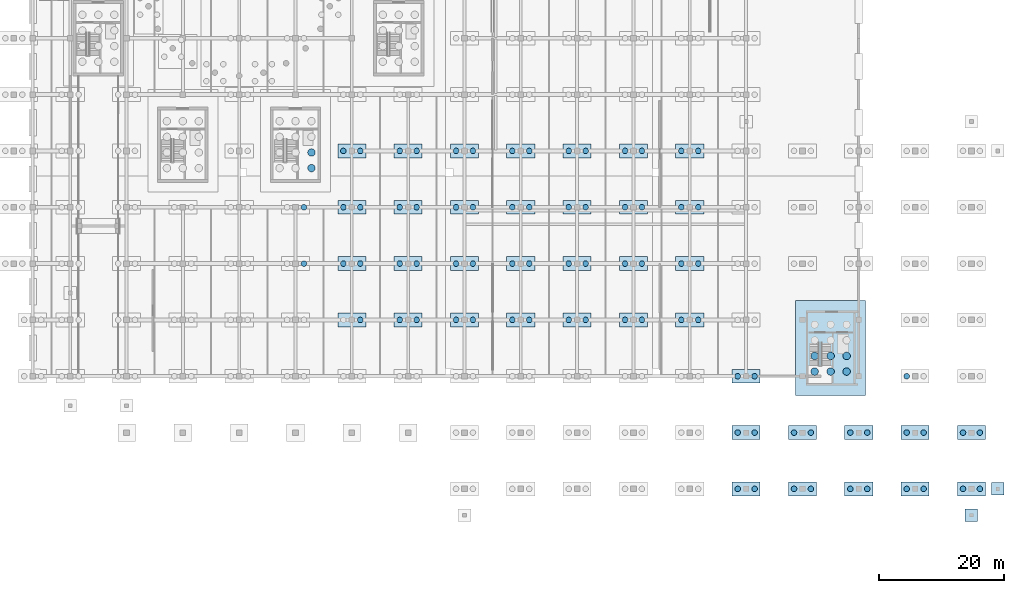
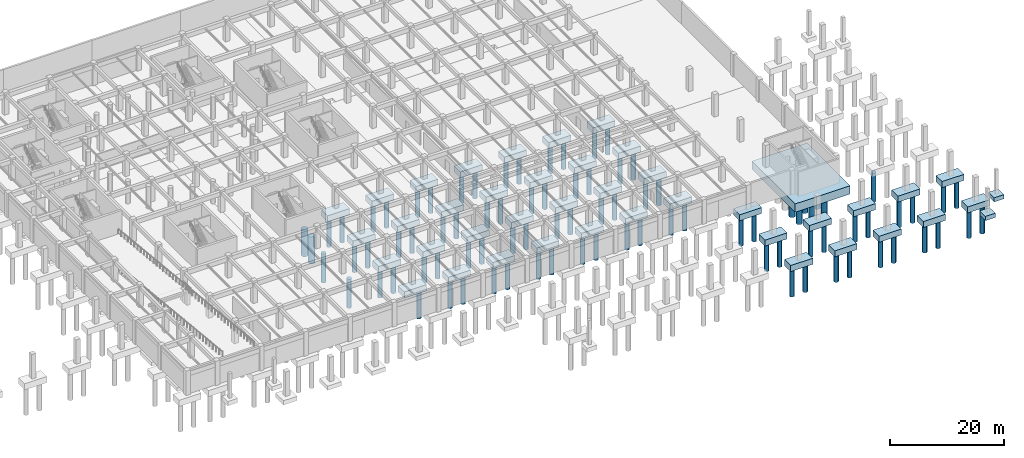
# One storey, part 5 of 27: 88 piles, 42 footings.
"""IFC4 building model written with IfcOpenShell, lengths in metres."""

from ifc_helpers import new_model, si_unit, direction, frame, origin, origin_2d, place, context, subcontext, project, spatial, polyline, circle, outline, extrude, material, layer, layer_set, material_profile, profile_set, type_object, element, save


model = new_model("IFC4")

# Units and contexts
model_context = context("Model", 3, precision=1e-05, world=origin(), true_north=direction((0.0, 1.0)))
body_context = subcontext(model_context, "Body", "Model", "MODEL_VIEW")
ifc_project = project(units=[si_unit("LENGTHUNIT", "METRE"), si_unit("AREAUNIT", "SQUARE_METRE"), si_unit("VOLUMEUNIT", "CUBIC_METRE"), si_unit("PLANEANGLEUNIT", "RADIAN"), si_unit("MASSUNIT", "GRAM", prefix="KILO")], contexts=[model_context])

# Site, building, storey
site_placement = place(None, origin())
site = spatial("IfcSite", under=ifc_project, at=site_placement, CompositionType="ELEMENT")
building_placement = place(site_placement, origin())
building = spatial("IfcBuilding", under=site, at=building_placement, Name="Dornveld Trade and Exhibition Forum", CompositionType="ELEMENT")
storey_placement = place(building_placement, frame((0.0, 0.0, -4.800048828125)))
storey = spatial("IfcBuildingStorey", under=building, at=storey_placement, Name="B1", CompositionType="ELEMENT", Elevation=-4.800048828125)

# Footings
ifc_material_1 = material(Name="Concrete C40/50", Category="concrete")
ifc_layer_1 = layer(ifc_material_1, 1.300048828125)
ifc_layer_set_1 = layer_set([ifc_layer_1], Name="Concrete C40/50")
footing_type_1 = type_object("IfcFootingType", Name="FT-CAP-2P", PredefinedType="PILE_CAP", material=ifc_layer_set_1)
footing_1_placement = place(storey_placement, frame((0.0, 0.0, -1.75)))
element("IfcFooting", 1, at=footing_1_placement, inside=storey, type_object=footing_type_1, Name="Multi-pile cap 160", PredefinedType="PILE_CAP", context=body_context, shape_type="SweptSolid", body=[
    extrude(outline(polyline([(132.75, 25.89990234375), (137.25, 25.89990234375), (137.25, 28.10009765625), (132.75, 28.10009765625), (132.75, 25.89990234375)])), origin(), (0.0, 0.0, 1.0), 1.300048828125),
])
footing_2_placement = place(storey_placement, frame((0.0, 0.0, -1.75)))
element("IfcFooting", 2, at=footing_2_placement, inside=storey, type_object=footing_type_1, Name="Multi-pile cap 161", PredefinedType="PILE_CAP", context=body_context, shape_type="SweptSolid", body=[
    extrude(outline(polyline([(132.75, 34.89990234375), (137.25, 34.89990234375), (137.25, 37.10009765625), (132.75, 37.10009765625), (132.75, 34.89990234375)])), origin(), (0.0, 0.0, 1.0), 1.300048828125),
])
footing_3_placement = place(storey_placement, frame((0.0, 0.0, -1.75)))
element("IfcFooting", 3, at=footing_3_placement, inside=storey, type_object=footing_type_1, Name="Multi-pile cap 162", PredefinedType="PILE_CAP", context=body_context, shape_type="SweptSolid", body=[
    extrude(outline(polyline([(132.75, 43.89990234375), (137.25, 43.89990234375), (137.25, 46.10009765625), (132.75, 46.10009765625), (132.75, 43.89990234375)])), origin(), (0.0, 0.0, 1.0), 1.300048828125),
])
footing_4_placement = place(storey_placement, frame((0.0, 0.0, -1.75)))
element("IfcFooting", 4, at=footing_4_placement, inside=storey, type_object=footing_type_1, Name="Multi-pile cap 163", PredefinedType="PILE_CAP", context=body_context, shape_type="SweptSolid", body=[
    extrude(outline(polyline([(132.75, 52.89990234375), (137.25, 52.89990234375), (137.25, 55.10009765625), (132.75, 55.10009765625), (132.75, 52.89990234375)])), origin(), (0.0, 0.0, 1.0), 1.300048828125),
])
footing_5_placement = place(storey_placement, frame((0.0, 0.0, -1.75)))
element("IfcFooting", 5, at=footing_5_placement, inside=storey, type_object=footing_type_1, Name="Multi-pile cap 168", PredefinedType="PILE_CAP", context=body_context, shape_type="SweptSolid", body=[
    extrude(outline(polyline([(141.75, 25.89990234375), (146.25, 25.89990234375), (146.25, 28.10009765625), (141.75, 28.10009765625), (141.75, 25.89990234375)])), origin(), (0.0, 0.0, 1.0), 1.300048828125),
])
footing_6_placement = place(storey_placement, frame((0.0, 0.0, -1.75)))
element("IfcFooting", 6, at=footing_6_placement, inside=storey, type_object=footing_type_1, Name="Multi-pile cap 169", PredefinedType="PILE_CAP", context=body_context, shape_type="SweptSolid", body=[
    extrude(outline(polyline([(141.75, 34.89990234375), (146.25, 34.89990234375), (146.25, 37.10009765625), (141.75, 37.10009765625), (141.75, 34.89990234375)])), origin(), (0.0, 0.0, 1.0), 1.300048828125),
])
footing_7_placement = place(storey_placement, frame((0.0, 0.0, -1.75)))
element("IfcFooting", 7, at=footing_7_placement, inside=storey, type_object=footing_type_1, Name="Multi-pile cap 170", PredefinedType="PILE_CAP", context=body_context, shape_type="SweptSolid", body=[
    extrude(outline(polyline([(141.75, 43.89990234375), (146.25, 43.89990234375), (146.25, 46.10009765625), (141.75, 46.10009765625), (141.75, 43.89990234375)])), origin(), (0.0, 0.0, 1.0), 1.300048828125),
])
footing_8_placement = place(storey_placement, frame((0.0, 0.0, -1.75)))
element("IfcFooting", 8, at=footing_8_placement, inside=storey, type_object=footing_type_1, Name="Multi-pile cap 171", PredefinedType="PILE_CAP", context=body_context, shape_type="SweptSolid", body=[
    extrude(outline(polyline([(141.75, 52.89990234375), (146.25, 52.89990234375), (146.25, 55.10009765625), (141.75, 55.10009765625), (141.75, 52.89990234375)])), origin(), (0.0, 0.0, 1.0), 1.300048828125),
])
footing_9_placement = place(storey_placement, frame((0.0, 0.0, -1.75)))
element("IfcFooting", 9, at=footing_9_placement, inside=storey, type_object=footing_type_1, Name="Multi-pile cap 180", PredefinedType="PILE_CAP", context=body_context, shape_type="SweptSolid", body=[
    extrude(outline(polyline([(150.75, 25.89990234375), (155.25, 25.89990234375), (155.25, 28.10009765625), (150.75, 28.10009765625), (150.75, 25.89990234375)])), origin(), (0.0, 0.0, 1.0), 1.300048828125),
])
footing_10_placement = place(storey_placement, frame((0.0, 0.0, -1.75)))
element("IfcFooting", 10, at=footing_10_placement, inside=storey, type_object=footing_type_1, Name="Multi-pile cap 181", PredefinedType="PILE_CAP", context=body_context, shape_type="SweptSolid", body=[
    extrude(outline(polyline([(150.75, 34.89990234375), (155.25, 34.89990234375), (155.25, 37.10009765625), (150.75, 37.10009765625), (150.75, 34.89990234375)])), origin(), (0.0, 0.0, 1.0), 1.300048828125),
])
footing_11_placement = place(storey_placement, frame((0.0, 0.0, -1.75)))
element("IfcFooting", 11, at=footing_11_placement, inside=storey, type_object=footing_type_1, Name="Multi-pile cap 182", PredefinedType="PILE_CAP", context=body_context, shape_type="SweptSolid", body=[
    extrude(outline(polyline([(150.75, 43.89990234375), (155.25, 43.89990234375), (155.25, 46.10009765625), (150.75, 46.10009765625), (150.75, 43.89990234375)])), origin(), (0.0, 0.0, 1.0), 1.300048828125),
])
footing_12_placement = place(storey_placement, frame((0.0, 0.0, -1.75)))
element("IfcFooting", 12, at=footing_12_placement, inside=storey, type_object=footing_type_1, Name="Multi-pile cap 183", PredefinedType="PILE_CAP", context=body_context, shape_type="SweptSolid", body=[
    extrude(outline(polyline([(150.75, 52.89990234375), (155.25, 52.89990234375), (155.25, 55.10009765625), (150.75, 55.10009765625), (150.75, 52.89990234375)])), origin(), (0.0, 0.0, 1.0), 1.300048828125),
])
footing_13_placement = place(storey_placement, frame((0.0, 0.0, -1.75)))
element("IfcFooting", 13, at=footing_13_placement, inside=storey, type_object=footing_type_1, Name="Multi-pile cap 194", PredefinedType="PILE_CAP", context=body_context, shape_type="SweptSolid", body=[
    extrude(outline(polyline([(159.75, 25.89990234375), (164.25, 25.89990234375), (164.25, 28.10009765625), (159.75, 28.10009765625), (159.75, 25.89990234375)])), origin(), (0.0, 0.0, 1.0), 1.300048828125),
])
footing_14_placement = place(storey_placement, frame((0.0, 0.0, -1.75)))
element("IfcFooting", 14, at=footing_14_placement, inside=storey, type_object=footing_type_1, Name="Multi-pile cap 195", PredefinedType="PILE_CAP", context=body_context, shape_type="SweptSolid", body=[
    extrude(outline(polyline([(159.75, 34.89990234375), (164.25, 34.89990234375), (164.25, 37.10009765625), (159.75, 37.10009765625), (159.75, 34.89990234375)])), origin(), (0.0, 0.0, 1.0), 1.300048828125),
])
footing_15_placement = place(storey_placement, frame((0.0, 0.0, -1.75)))
element("IfcFooting", 15, at=footing_15_placement, inside=storey, type_object=footing_type_1, Name="Multi-pile cap 196", PredefinedType="PILE_CAP", context=body_context, shape_type="SweptSolid", body=[
    extrude(outline(polyline([(159.75, 43.89990234375), (164.25, 43.89990234375), (164.25, 46.10009765625), (159.75, 46.10009765625), (159.75, 43.89990234375)])), origin(), (0.0, 0.0, 1.0), 1.300048828125),
])
footing_16_placement = place(storey_placement, frame((0.0, 0.0, -1.75)))
element("IfcFooting", 16, at=footing_16_placement, inside=storey, type_object=footing_type_1, Name="Multi-pile cap 197", PredefinedType="PILE_CAP", context=body_context, shape_type="SweptSolid", body=[
    extrude(outline(polyline([(159.75, 52.89990234375), (164.25, 52.89990234375), (164.25, 55.10009765625), (159.75, 55.10009765625), (159.75, 52.89990234375)])), origin(), (0.0, 0.0, 1.0), 1.300048828125),
])
footing_17_placement = place(storey_placement, frame((0.0, 0.0, -1.75)))
element("IfcFooting", 17, at=footing_17_placement, inside=storey, type_object=footing_type_1, Name="Multi-pile cap 208", PredefinedType="PILE_CAP", context=body_context, shape_type="SweptSolid", body=[
    extrude(outline(polyline([(168.75, 25.89990234375), (173.25, 25.89990234375), (173.25, 28.10009765625), (168.75, 28.10009765625), (168.75, 25.89990234375)])), origin(), (0.0, 0.0, 1.0), 1.300048828125),
])
footing_18_placement = place(storey_placement, frame((0.0, 0.0, -1.75)))
element("IfcFooting", 18, at=footing_18_placement, inside=storey, type_object=footing_type_1, Name="Multi-pile cap 209", PredefinedType="PILE_CAP", context=body_context, shape_type="SweptSolid", body=[
    extrude(outline(polyline([(168.75, 34.89990234375), (173.25, 34.89990234375), (173.25, 37.10009765625), (168.75, 37.10009765625), (168.75, 34.89990234375)])), origin(), (0.0, 0.0, 1.0), 1.300048828125),
])
footing_19_placement = place(storey_placement, frame((0.0, 0.0, -1.75)))
element("IfcFooting", 19, at=footing_19_placement, inside=storey, type_object=footing_type_1, Name="Multi-pile cap 210", PredefinedType="PILE_CAP", context=body_context, shape_type="SweptSolid", body=[
    extrude(outline(polyline([(168.75, 43.89990234375), (173.25, 43.89990234375), (173.25, 46.10009765625), (168.75, 46.10009765625), (168.75, 43.89990234375)])), origin(), (0.0, 0.0, 1.0), 1.300048828125),
])
footing_20_placement = place(storey_placement, frame((0.0, 0.0, -1.75)))
element("IfcFooting", 20, at=footing_20_placement, inside=storey, type_object=footing_type_1, Name="Multi-pile cap 211", PredefinedType="PILE_CAP", context=body_context, shape_type="SweptSolid", body=[
    extrude(outline(polyline([(168.75, 52.89990234375), (173.25, 52.89990234375), (173.25, 55.10009765625), (168.75, 55.10009765625), (168.75, 52.89990234375)])), origin(), (0.0, 0.0, 1.0), 1.300048828125),
])
footing_21_placement = place(storey_placement, frame((0.0, 0.0, -1.75)))
element("IfcFooting", 21, at=footing_21_placement, inside=storey, type_object=footing_type_1, Name="Multi-pile cap 227", PredefinedType="PILE_CAP", context=body_context, shape_type="SweptSolid", body=[
    extrude(outline(polyline([(177.75, 25.89990234375), (182.25, 25.89990234375), (182.25, 28.10009765625), (177.75, 28.10009765625), (177.75, 25.89990234375)])), origin(), (0.0, 0.0, 1.0), 1.300048828125),
])
footing_22_placement = place(storey_placement, frame((0.0, 0.0, -1.75)))
element("IfcFooting", 22, at=footing_22_placement, inside=storey, type_object=footing_type_1, Name="Multi-pile cap 228", PredefinedType="PILE_CAP", context=body_context, shape_type="SweptSolid", body=[
    extrude(outline(polyline([(177.75, 34.89990234375), (182.25, 34.89990234375), (182.25, 37.10009765625), (177.75, 37.10009765625), (177.75, 34.89990234375)])), origin(), (0.0, 0.0, 1.0), 1.300048828125),
])
footing_23_placement = place(storey_placement, frame((0.0, 0.0, -1.75)))
element("IfcFooting", 23, at=footing_23_placement, inside=storey, type_object=footing_type_1, Name="Multi-pile cap 229", PredefinedType="PILE_CAP", context=body_context, shape_type="SweptSolid", body=[
    extrude(outline(polyline([(177.75, 43.89990234375), (182.25, 43.89990234375), (182.25, 46.10009765625), (177.75, 46.10009765625), (177.75, 43.89990234375)])), origin(), (0.0, 0.0, 1.0), 1.300048828125),
])
footing_24_placement = place(storey_placement, frame((0.0, 0.0, -1.75)))
element("IfcFooting", 24, at=footing_24_placement, inside=storey, type_object=footing_type_1, Name="Multi-pile cap 230", PredefinedType="PILE_CAP", context=body_context, shape_type="SweptSolid", body=[
    extrude(outline(polyline([(177.75, 52.89990234375), (182.25, 52.89990234375), (182.25, 55.10009765625), (177.75, 55.10009765625), (177.75, 52.89990234375)])), origin(), (0.0, 0.0, 1.0), 1.300048828125),
])
footing_25_placement = place(storey_placement, frame((0.0, 0.0, -1.75)))
element("IfcFooting", 25, at=footing_25_placement, inside=storey, type_object=footing_type_1, Name="Multi-pile cap 242", PredefinedType="PILE_CAP", context=body_context, shape_type="SweptSolid", body=[
    extrude(outline(polyline([(186.75, 25.89990234375), (191.25, 25.89990234375), (191.25, 28.10009765625), (186.75, 28.10009765625), (186.75, 25.89990234375)])), origin(), (0.0, 0.0, 1.0), 1.300048828125),
])
footing_26_placement = place(storey_placement, frame((0.0, 0.0, -1.75)))
element("IfcFooting", 26, at=footing_26_placement, inside=storey, type_object=footing_type_1, Name="Multi-pile cap 243", PredefinedType="PILE_CAP", context=body_context, shape_type="SweptSolid", body=[
    extrude(outline(polyline([(186.75, 34.89990234375), (191.25, 34.89990234375), (191.25, 37.10009765625), (186.75, 37.10009765625), (186.75, 34.89990234375)])), origin(), (0.0, 0.0, 1.0), 1.300048828125),
])
footing_27_placement = place(storey_placement, frame((0.0, 0.0, -1.75)))
element("IfcFooting", 27, at=footing_27_placement, inside=storey, type_object=footing_type_1, Name="Multi-pile cap 244", PredefinedType="PILE_CAP", context=body_context, shape_type="SweptSolid", body=[
    extrude(outline(polyline([(186.75, 43.89990234375), (191.25, 43.89990234375), (191.25, 46.10009765625), (186.75, 46.10009765625), (186.75, 43.89990234375)])), origin(), (0.0, 0.0, 1.0), 1.300048828125),
])
footing_28_placement = place(storey_placement, frame((0.0, 0.0, -1.75)))
element("IfcFooting", 28, at=footing_28_placement, inside=storey, type_object=footing_type_1, Name="Multi-pile cap 245", PredefinedType="PILE_CAP", context=body_context, shape_type="SweptSolid", body=[
    extrude(outline(polyline([(186.75, 52.89990234375), (191.25, 52.89990234375), (191.25, 55.10009765625), (186.75, 55.10009765625), (186.75, 52.89990234375)])), origin(), (0.0, 0.0, 1.0), 1.300048828125),
])
footing_29_placement = place(storey_placement, frame((0.0, 0.0, -1.75)))
element("IfcFooting", 29, at=footing_29_placement, inside=storey, type_object=footing_type_1, Name="Multi-pile cap 254", PredefinedType="PILE_CAP", context=body_context, shape_type="SweptSolid", body=[
    extrude(outline(polyline([(195.75, -1.10009765625), (200.25, -1.10009765625), (200.25, 1.10009765625), (195.75, 1.10009765625), (195.75, -1.10009765625)])), origin(), (0.0, 0.0, 1.0), 1.300048828125),
])
footing_30_placement = place(storey_placement, frame((0.0, 0.0, -1.75)))
element("IfcFooting", 30, at=footing_30_placement, inside=storey, type_object=footing_type_1, Name="Multi-pile cap 255", PredefinedType="PILE_CAP", context=body_context, shape_type="SweptSolid", body=[
    extrude(outline(polyline([(195.75, 7.89990234375), (200.25, 7.89990234375), (200.25, 10.10009765625), (195.75, 10.10009765625), (195.75, 7.89990234375)])), origin(), (0.0, 0.0, 1.0), 1.300048828125),
])
footing_31_placement = place(storey_placement, frame((0.0, 0.0, -1.75)))
element("IfcFooting", 31, at=footing_31_placement, inside=storey, type_object=footing_type_1, Name="Multi-pile cap 256", PredefinedType="PILE_CAP", context=body_context, shape_type="SweptSolid", body=[
    extrude(outline(polyline([(195.75, 16.89990234375), (200.25, 16.89990234375), (200.25, 19.10009765625), (195.75, 19.10009765625), (195.75, 16.89990234375)])), origin(), (0.0, 0.0, 1.0), 1.300048828125),
])
footing_32_placement = place(storey_placement, frame((0.0, 0.0, -1.75)))
element("IfcFooting", 32, at=footing_32_placement, inside=storey, type_object=footing_type_1, Name="Multi-pile cap 271", PredefinedType="PILE_CAP", context=body_context, shape_type="SweptSolid", body=[
    extrude(outline(polyline([(204.75, -1.10009765625), (209.25, -1.10009765625), (209.25, 1.10009765625), (204.75, 1.10009765625), (204.75, -1.10009765625)])), origin(), (0.0, 0.0, 1.0), 1.300048828125),
])
footing_33_placement = place(storey_placement, frame((0.0, 0.0, -1.75)))
element("IfcFooting", 33, at=footing_33_placement, inside=storey, type_object=footing_type_1, Name="Multi-pile cap 272", PredefinedType="PILE_CAP", context=body_context, shape_type="SweptSolid", body=[
    extrude(outline(polyline([(204.75, 7.89990234375), (209.25, 7.89990234375), (209.25, 10.10009765625), (204.75, 10.10009765625), (204.75, 7.89990234375)])), origin(), (0.0, 0.0, 1.0), 1.300048828125),
])
footing_34_placement = place(storey_placement, frame((0.0, 0.0, -1.75)))
element("IfcFooting", 34, at=footing_34_placement, inside=storey, type_object=footing_type_1, Name="Multi-pile cap 281", PredefinedType="PILE_CAP", context=body_context, shape_type="SweptSolid", body=[
    extrude(outline(polyline([(213.75, -1.10009765625), (218.25, -1.10009765625), (218.25, 1.10009765625), (213.75, 1.10009765625), (213.75, -1.10009765625)])), origin(), (0.0, 0.0, 1.0), 1.300048828125),
])
footing_35_placement = place(storey_placement, frame((0.0, 0.0, -1.75)))
element("IfcFooting", 35, at=footing_35_placement, inside=storey, type_object=footing_type_1, Name="Multi-pile cap 282", PredefinedType="PILE_CAP", context=body_context, shape_type="SweptSolid", body=[
    extrude(outline(polyline([(213.75, 7.89990234375), (218.25, 7.89990234375), (218.25, 10.10009765625), (213.75, 10.10009765625), (213.75, 7.89990234375)])), origin(), (0.0, 0.0, 1.0), 1.300048828125),
])
footing_36_placement = place(storey_placement, frame((0.0, 0.0, -1.75)))
element("IfcFooting", 36, at=footing_36_placement, inside=storey, type_object=footing_type_1, Name="Multi-pile cap 291", PredefinedType="PILE_CAP", context=body_context, shape_type="SweptSolid", body=[
    extrude(outline(polyline([(222.75, -1.10009765625), (227.25, -1.10009765625), (227.25, 1.10009765625), (222.75, 1.10009765625), (222.75, -1.10009765625)])), origin(), (0.0, 0.0, 1.0), 1.300048828125),
])
footing_37_placement = place(storey_placement, frame((0.0, 0.0, -1.75)))
element("IfcFooting", 37, at=footing_37_placement, inside=storey, type_object=footing_type_1, Name="Multi-pile cap 292", PredefinedType="PILE_CAP", context=body_context, shape_type="SweptSolid", body=[
    extrude(outline(polyline([(222.75, 7.89990234375), (227.25, 7.89990234375), (227.25, 10.10009765625), (222.75, 10.10009765625), (222.75, 7.89990234375)])), origin(), (0.0, 0.0, 1.0), 1.300048828125),
])
footing_38_placement = place(storey_placement, frame((0.0, 0.0, -1.75)))
element("IfcFooting", 38, at=footing_38_placement, inside=storey, type_object=footing_type_1, Name="Multi-pile cap 298", PredefinedType="PILE_CAP", context=body_context, shape_type="SweptSolid", body=[
    extrude(outline(polyline([(231.75, -1.10009765625), (236.25, -1.10009765625), (236.25, 1.10009765625), (231.75, 1.10009765625), (231.75, -1.10009765625)])), origin(), (0.0, 0.0, 1.0), 1.300048828125),
])
footing_39_placement = place(storey_placement, frame((0.0, 0.0, -1.75)))
element("IfcFooting", 39, at=footing_39_placement, inside=storey, type_object=footing_type_1, Name="Multi-pile cap 299", PredefinedType="PILE_CAP", context=body_context, shape_type="SweptSolid", body=[
    extrude(outline(polyline([(231.75, 7.89990234375), (236.25, 7.89990234375), (236.25, 10.10009765625), (231.75, 10.10009765625), (231.75, 7.89990234375)])), origin(), (0.0, 0.0, 1.0), 1.300048828125),
])
ifc_material_2 = material(Name="Concrete C40/50", Category="concrete")
ifc_layer_2 = layer(ifc_material_2, 0.89990234375)
ifc_layer_set_2 = layer_set([ifc_layer_2], Name="Concrete C40/50")
footing_type_2 = type_object("IfcFootingType", Name="FT-PAD-CAN", PredefinedType="PAD_FOOTING", material=ifc_layer_set_2)
footing_40_placement = place(storey_placement, frame((0.0, 0.0, -1.349853515625)))
element("IfcFooting", 40, at=footing_40_placement, inside=storey, type_object=footing_type_2, Name="Paving edge pad footing 8", PredefinedType="PAD_FOOTING", context=body_context, shape_type="SweptSolid", body=[
    extrude(outline(polyline([(233.0, -5.199951171875), (235.0, -5.199951171875), (235.0, -3.199951171875), (233.0, -3.199951171875), (233.0, -5.199951171875)])), origin(), (0.0, 0.0, 1.0), 0.89990234375),
])
footing_41_placement = place(storey_placement, frame((0.0, 0.0, -1.349853515625)))
element("IfcFooting", 41, at=footing_41_placement, inside=storey, type_object=footing_type_2, Name="Paving edge pad footing 9", PredefinedType="PAD_FOOTING", context=body_context, shape_type="SweptSolid", body=[
    extrude(outline(polyline([(237.199951171875, -1.0), (239.199951171875, -1.0), (239.199951171875, 1.0), (237.199951171875, 1.0), (237.199951171875, -1.0)])), origin(), (0.0, 0.0, 1.0), 0.89990234375),
])
ifc_material_3 = material(Name="Concrete C40/50", Category="concrete")
ifc_layer_3 = layer(ifc_material_3, 1.800048828125)
ifc_layer_set_3 = layer_set([ifc_layer_3], Name="Concrete C40/50")
footing_type_3 = type_object("IfcFootingType", Name="FT-RAFT-CORE", PredefinedType="PILE_CAP", material=ifc_layer_set_3)
footing_42_placement = place(storey_placement, frame((0.0, 0.0, -2.25)))
element("IfcFooting", 42, at=footing_42_placement, inside=storey, type_object=footing_type_3, Name="CORE-11 piled foundation raft", PredefinedType="PILE_CAP", context=body_context, shape_type="SweptSolid", body=[
    extrude(outline(polyline([(205.89990234375, 14.89990234375), (217.10009765625, 14.89990234375), (217.10009765625, 30.10009765625), (205.89990234375, 30.10009765625), (205.89990234375, 14.89990234375)])), origin(), (0.0, 0.0, 1.0), 1.800048828125),
])

# Piles
ifc_material_4 = material(Name="Concrete C40/50", Category="concrete")
ifc_material_profile_1 = material_profile(ifc_material_4, circle(Radius=0.60009765625, at=origin_2d()), Name="PILE D1200")
ifc_profile_set_1 = profile_set([ifc_material_profile_1], Name="Concrete C40/50")
pile_type_1 = type_object("IfcPileType", Name="PILE-B1200", PredefinedType="BORED", material=ifc_profile_set_1)
for number, where, z_axis, x_axis, name in (
    (43, (128.550048828125, 51.25, -2.14990234375), (0.0, 0.0, -1.0), (1.0, 0.0, 0.0), "CORE-07 rock-socketed bored pile 9"),
    (44, (128.550048828125, 53.75, -2.14990234375), (0.0, 0.0, -1.0), (1.0, 0.0, 0.0), "CORE-07 rock-socketed bored pile 10"),
    (45, (208.949951171875, 18.75, -2.14990234375), (0.0, 0.0, -1.0), (1.0, 0.0, 0.0), "CORE-11 rock-socketed bored pile 1"),
    (46, (208.949951171875, 21.25, -2.14990234375), (0.0, 0.0, -1.0), (1.0, 0.0, 0.0), "CORE-11 rock-socketed bored pile 2"),
    (47, (211.5, 18.75, -2.14990234375), (0.0, 0.0, -1.0), (1.0, 0.0, 0.0), "CORE-11 rock-socketed bored pile 5"),
    (48, (211.5, 21.25, -2.14990234375), (0.0, 0.0, -1.0), (1.0, 0.0, 0.0), "CORE-11 rock-socketed bored pile 6"),
    (49, (214.050048828125, 18.75, -2.14990234375), (0.0, 0.0, -1.0), (1.0, 0.0, 0.0), "CORE-11 rock-socketed bored pile 9"),
    (50, (214.050048828125, 21.25, -2.14990234375), (0.0, 0.0, -1.0), (1.0, 0.0, 0.0), "CORE-11 rock-socketed bored pile 10"),
):
    element("IfcPile", number, at=place(storey_placement, frame(where, z_axis=z_axis, x_axis=x_axis)), inside=storey, type_object=pile_type_1, Name=name, PredefinedType="BORED", context=body_context, shape_type="SweptSolid", body=[
        extrude(circle(Radius=0.60009765625, at=origin_2d()), origin(), (0.0, 0.0, 1.0), 5.75),
    ])
ifc_material_5 = material(Name="Concrete C40/50", Category="concrete")
ifc_material_profile_2 = material_profile(ifc_material_5, circle(Radius=0.449951171875, at=origin_2d()), Name="PILE D900")
ifc_profile_set_2 = profile_set([ifc_material_profile_2], Name="Concrete C40/50")
pile_type_2 = type_object("IfcPileType", Name="PILE-B900", PredefinedType="BORED", material=ifc_profile_set_2)
for number, where, z_axis, x_axis, name in (
    (51, (127.35009765625, 36.0, -1.64990234375), (0.0, 0.0, -1.0), (1.0, 0.0, 0.0), "Cap 151 rock-socketed pile 2"),
    (52, (127.35009765625, 45.0, -1.64990234375), (0.0, 0.0, -1.0), (1.0, 0.0, 0.0), "Cap 152 rock-socketed pile 2"),
    (53, (136.35009765625, 27.0, -1.64990234375), (0.0, 0.0, -1.0), (1.0, 0.0, 0.0), "Cap 160 rock-socketed pile 2"),
    (54, (133.64990234375, 36.0, -1.64990234375), (0.0, 0.0, -1.0), (1.0, 0.0, 0.0), "Cap 161 rock-socketed pile 1"),
    (55, (136.35009765625, 36.0, -1.64990234375), (0.0, 0.0, -1.0), (1.0, 0.0, 0.0), "Cap 161 rock-socketed pile 2"),
    (56, (133.64990234375, 45.0, -1.64990234375), (0.0, 0.0, -1.0), (1.0, 0.0, 0.0), "Cap 162 rock-socketed pile 1"),
    (57, (136.35009765625, 45.0, -1.64990234375), (0.0, 0.0, -1.0), (1.0, 0.0, 0.0), "Cap 162 rock-socketed pile 2"),
    (58, (133.64990234375, 54.0, -1.64990234375), (0.0, 0.0, -1.0), (1.0, 0.0, 0.0), "Cap 163 rock-socketed pile 1"),
    (59, (136.35009765625, 54.0, -1.64990234375), (0.0, 0.0, -1.0), (1.0, 0.0, 0.0), "Cap 163 rock-socketed pile 2"),
    (60, (142.64990234375, 27.0, -1.64990234375), (0.0, 0.0, -1.0), (1.0, 0.0, 0.0), "Cap 168 rock-socketed pile 1"),
    (61, (145.35009765625, 27.0, -1.64990234375), (0.0, 0.0, -1.0), (1.0, 0.0, 0.0), "Cap 168 rock-socketed pile 2"),
    (62, (142.64990234375, 36.0, -1.64990234375), (0.0, 0.0, -1.0), (1.0, 0.0, 0.0), "Cap 169 rock-socketed pile 1"),
    (63, (145.35009765625, 36.0, -1.64990234375), (0.0, 0.0, -1.0), (1.0, 0.0, 0.0), "Cap 169 rock-socketed pile 2"),
    (64, (142.64990234375, 45.0, -1.64990234375), (0.0, 0.0, -1.0), (1.0, 0.0, 0.0), "Cap 170 rock-socketed pile 1"),
    (65, (145.35009765625, 45.0, -1.64990234375), (0.0, 0.0, -1.0), (1.0, 0.0, 0.0), "Cap 170 rock-socketed pile 2"),
    (66, (142.64990234375, 54.0, -1.64990234375), (0.0, 0.0, -1.0), (1.0, 0.0, 0.0), "Cap 171 rock-socketed pile 1"),
    (67, (145.35009765625, 54.0, -1.64990234375), (0.0, 0.0, -1.0), (1.0, 0.0, 0.0), "Cap 171 rock-socketed pile 2"),
    (68, (151.64990234375, 27.0, -1.64990234375), (0.0, 0.0, -1.0), (1.0, 0.0, 0.0), "Cap 180 rock-socketed pile 1"),
    (69, (154.35009765625, 27.0, -1.64990234375), (0.0, 0.0, -1.0), (1.0, 0.0, 0.0), "Cap 180 rock-socketed pile 2"),
    (70, (151.64990234375, 36.0, -1.64990234375), (0.0, 0.0, -1.0), (1.0, 0.0, 0.0), "Cap 181 rock-socketed pile 1"),
    (71, (154.35009765625, 36.0, -1.64990234375), (0.0, 0.0, -1.0), (1.0, 0.0, 0.0), "Cap 181 rock-socketed pile 2"),
    (72, (151.64990234375, 45.0, -1.64990234375), (0.0, 0.0, -1.0), (1.0, 0.0, 0.0), "Cap 182 rock-socketed pile 1"),
    (73, (154.35009765625, 45.0, -1.64990234375), (0.0, 0.0, -1.0), (1.0, 0.0, 0.0), "Cap 182 rock-socketed pile 2"),
    (74, (151.64990234375, 54.0, -1.64990234375), (0.0, 0.0, -1.0), (1.0, 0.0, 0.0), "Cap 183 rock-socketed pile 1"),
    (75, (154.35009765625, 54.0, -1.64990234375), (0.0, 0.0, -1.0), (1.0, 0.0, 0.0), "Cap 183 rock-socketed pile 2"),
    (76, (160.64990234375, 27.0, -1.64990234375), (0.0, 0.0, -1.0), (1.0, 0.0, 0.0), "Cap 194 rock-socketed pile 1"),
    (77, (163.35009765625, 27.0, -1.64990234375), (0.0, 0.0, -1.0), (1.0, 0.0, 0.0), "Cap 194 rock-socketed pile 2"),
    (78, (160.64990234375, 36.0, -1.64990234375), (0.0, 0.0, -1.0), (1.0, 0.0, 0.0), "Cap 195 rock-socketed pile 1"),
    (79, (163.35009765625, 36.0, -1.64990234375), (0.0, 0.0, -1.0), (1.0, 0.0, 0.0), "Cap 195 rock-socketed pile 2"),
    (80, (160.64990234375, 45.0, -1.64990234375), (0.0, 0.0, -1.0), (1.0, 0.0, 0.0), "Cap 196 rock-socketed pile 1"),
    (81, (163.35009765625, 45.0, -1.64990234375), (0.0, 0.0, -1.0), (1.0, 0.0, 0.0), "Cap 196 rock-socketed pile 2"),
    (82, (160.64990234375, 54.0, -1.64990234375), (0.0, 0.0, -1.0), (1.0, 0.0, 0.0), "Cap 197 rock-socketed pile 1"),
    (83, (163.35009765625, 54.0, -1.64990234375), (0.0, 0.0, -1.0), (1.0, 0.0, 0.0), "Cap 197 rock-socketed pile 2"),
    (84, (169.64990234375, 27.0, -1.64990234375), (0.0, 0.0, -1.0), (1.0, 0.0, 0.0), "Cap 208 rock-socketed pile 1"),
    (85, (172.35009765625, 27.0, -1.64990234375), (0.0, 0.0, -1.0), (1.0, 0.0, 0.0), "Cap 208 rock-socketed pile 2"),
    (86, (169.64990234375, 36.0, -1.64990234375), (0.0, 0.0, -1.0), (1.0, 0.0, 0.0), "Cap 209 rock-socketed pile 1"),
    (87, (172.35009765625, 36.0, -1.64990234375), (0.0, 0.0, -1.0), (1.0, 0.0, 0.0), "Cap 209 rock-socketed pile 2"),
    (88, (169.64990234375, 45.0, -1.64990234375), (0.0, 0.0, -1.0), (1.0, 0.0, 0.0), "Cap 210 rock-socketed pile 1"),
    (89, (172.35009765625, 45.0, -1.64990234375), (0.0, 0.0, -1.0), (1.0, 0.0, 0.0), "Cap 210 rock-socketed pile 2"),
    (90, (169.64990234375, 54.0, -1.64990234375), (0.0, 0.0, -1.0), (1.0, 0.0, 0.0), "Cap 211 rock-socketed pile 1"),
    (91, (172.35009765625, 54.0, -1.64990234375), (0.0, 0.0, -1.0), (1.0, 0.0, 0.0), "Cap 211 rock-socketed pile 2"),
    (92, (178.64990234375, 27.0, -1.64990234375), (0.0, 0.0, -1.0), (1.0, 0.0, 0.0), "Cap 227 rock-socketed pile 1"),
    (93, (181.35009765625, 27.0, -1.64990234375), (0.0, 0.0, -1.0), (1.0, 0.0, 0.0), "Cap 227 rock-socketed pile 2"),
    (94, (178.64990234375, 36.0, -1.64990234375), (0.0, 0.0, -1.0), (1.0, 0.0, 0.0), "Cap 228 rock-socketed pile 1"),
    (95, (181.35009765625, 36.0, -1.64990234375), (0.0, 0.0, -1.0), (1.0, 0.0, 0.0), "Cap 228 rock-socketed pile 2"),
    (96, (178.64990234375, 45.0, -1.64990234375), (0.0, 0.0, -1.0), (1.0, 0.0, 0.0), "Cap 229 rock-socketed pile 1"),
    (97, (181.35009765625, 45.0, -1.64990234375), (0.0, 0.0, -1.0), (1.0, 0.0, 0.0), "Cap 229 rock-socketed pile 2"),
    (98, (178.64990234375, 54.0, -1.64990234375), (0.0, 0.0, -1.0), (1.0, 0.0, 0.0), "Cap 230 rock-socketed pile 1"),
    (99, (181.35009765625, 54.0, -1.64990234375), (0.0, 0.0, -1.0), (1.0, 0.0, 0.0), "Cap 230 rock-socketed pile 2"),
    (100, (187.64990234375, 27.0, -1.64990234375), (0.0, 0.0, -1.0), (1.0, 0.0, 0.0), "Cap 242 rock-socketed pile 1"),
    (101, (190.35009765625, 27.0, -1.64990234375), (0.0, 0.0, -1.0), (1.0, 0.0, 0.0), "Cap 242 rock-socketed pile 2"),
    (102, (187.64990234375, 36.0, -1.64990234375), (0.0, 0.0, -1.0), (1.0, 0.0, 0.0), "Cap 243 rock-socketed pile 1"),
    (103, (190.35009765625, 36.0, -1.64990234375), (0.0, 0.0, -1.0), (1.0, 0.0, 0.0), "Cap 243 rock-socketed pile 2"),
    (104, (187.64990234375, 45.0, -1.64990234375), (0.0, 0.0, -1.0), (1.0, 0.0, 0.0), "Cap 244 rock-socketed pile 1"),
    (105, (190.35009765625, 45.0, -1.64990234375), (0.0, 0.0, -1.0), (1.0, 0.0, 0.0), "Cap 244 rock-socketed pile 2"),
    (106, (187.64990234375, 54.0, -1.64990234375), (0.0, 0.0, -1.0), (1.0, 0.0, 0.0), "Cap 245 rock-socketed pile 1"),
    (107, (190.35009765625, 54.0, -1.64990234375), (0.0, 0.0, -1.0), (1.0, 0.0, 0.0), "Cap 245 rock-socketed pile 2"),
    (108, (196.64990234375, 0.0, -1.64990234375), (0.0, 0.0, -1.0), (1.0, 0.0, 0.0), "Cap 254 rock-socketed pile 1"),
    (109, (199.35009765625, 0.0, -1.64990234375), (0.0, 0.0, -1.0), (1.0, 0.0, 0.0), "Cap 254 rock-socketed pile 2"),
    (110, (196.64990234375, 9.0, -1.64990234375), (0.0, 0.0, -1.0), (1.0, 0.0, 0.0), "Cap 255 rock-socketed pile 1"),
    (111, (199.35009765625, 9.0, -1.64990234375), (0.0, 0.0, -1.0), (1.0, 0.0, 0.0), "Cap 255 rock-socketed pile 2"),
    (112, (196.64990234375, 18.0, -1.64990234375), (0.0, 0.0, -1.0), (1.0, 0.0, 0.0), "Cap 256 rock-socketed pile 1"),
    (113, (199.35009765625, 18.0, -1.64990234375), (0.0, 0.0, -1.0), (1.0, 0.0, 0.0), "Cap 256 rock-socketed pile 2"),
    (114, (205.64990234375, 0.0, -1.64990234375), (0.0, 0.0, -1.0), (1.0, 0.0, 0.0), "Cap 271 rock-socketed pile 1"),
    (115, (208.35009765625, 0.0, -1.64990234375), (0.0, 0.0, -1.0), (1.0, 0.0, 0.0), "Cap 271 rock-socketed pile 2"),
    (116, (205.64990234375, 9.0, -1.64990234375), (0.0, 0.0, -1.0), (1.0, 0.0, 0.0), "Cap 272 rock-socketed pile 1"),
    (117, (208.35009765625, 9.0, -1.64990234375), (0.0, 0.0, -1.0), (1.0, 0.0, 0.0), "Cap 272 rock-socketed pile 2"),
    (118, (214.64990234375, 0.0, -1.64990234375), (0.0, 0.0, -1.0), (1.0, 0.0, 0.0), "Cap 281 rock-socketed pile 1"),
    (119, (217.35009765625, 0.0, -1.64990234375), (0.0, 0.0, -1.0), (1.0, 0.0, 0.0), "Cap 281 rock-socketed pile 2"),
    (120, (214.64990234375, 9.0, -1.64990234375), (0.0, 0.0, -1.0), (1.0, 0.0, 0.0), "Cap 282 rock-socketed pile 1"),
    (121, (217.35009765625, 9.0, -1.64990234375), (0.0, 0.0, -1.0), (1.0, 0.0, 0.0), "Cap 282 rock-socketed pile 2"),
    (122, (223.64990234375, 0.0, -1.64990234375), (0.0, 0.0, -1.0), (1.0, 0.0, 0.0), "Cap 291 rock-socketed pile 1"),
    (123, (226.35009765625, 0.0, -1.64990234375), (0.0, 0.0, -1.0), (1.0, 0.0, 0.0), "Cap 291 rock-socketed pile 2"),
    (124, (223.64990234375, 9.0, -1.64990234375), (0.0, 0.0, -1.0), (1.0, 0.0, 0.0), "Cap 292 rock-socketed pile 1"),
    (125, (226.35009765625, 9.0, -1.64990234375), (0.0, 0.0, -1.0), (1.0, 0.0, 0.0), "Cap 292 rock-socketed pile 2"),
    (126, (223.64990234375, 18.0, -1.64990234375), (0.0, 0.0, -1.0), (1.0, 0.0, 0.0), "Cap 293 rock-socketed pile 1"),
    (127, (232.64990234375, 0.0, -1.64990234375), (0.0, 0.0, -1.0), (1.0, 0.0, 0.0), "Cap 298 rock-socketed pile 1"),
    (128, (235.35009765625, 0.0, -1.64990234375), (0.0, 0.0, -1.0), (1.0, 0.0, 0.0), "Cap 298 rock-socketed pile 2"),
    (129, (232.64990234375, 9.0, -1.64990234375), (0.0, 0.0, -1.0), (1.0, 0.0, 0.0), "Cap 299 rock-socketed pile 1"),
    (130, (235.35009765625, 9.0, -1.64990234375), (0.0, 0.0, -1.0), (1.0, 0.0, 0.0), "Cap 299 rock-socketed pile 2"),
):
    element("IfcPile", number, at=place(storey_placement, frame(where, z_axis=z_axis, x_axis=x_axis)), inside=storey, type_object=pile_type_2, Name=name, PredefinedType="BORED", context=body_context, shape_type="SweptSolid", body=[
        extrude(circle(Radius=0.449951171875, at=origin_2d()), origin(), (0.0, 0.0, 1.0), 6.25),
    ])

save(model, "model.ifc")
